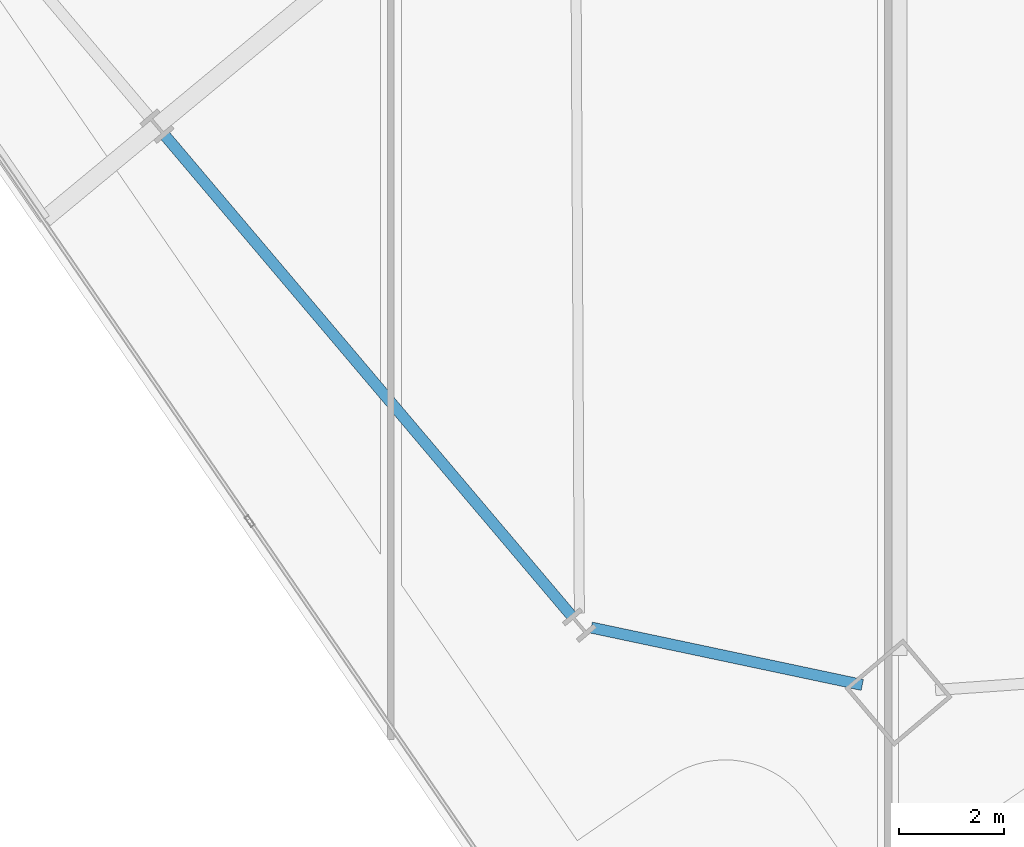
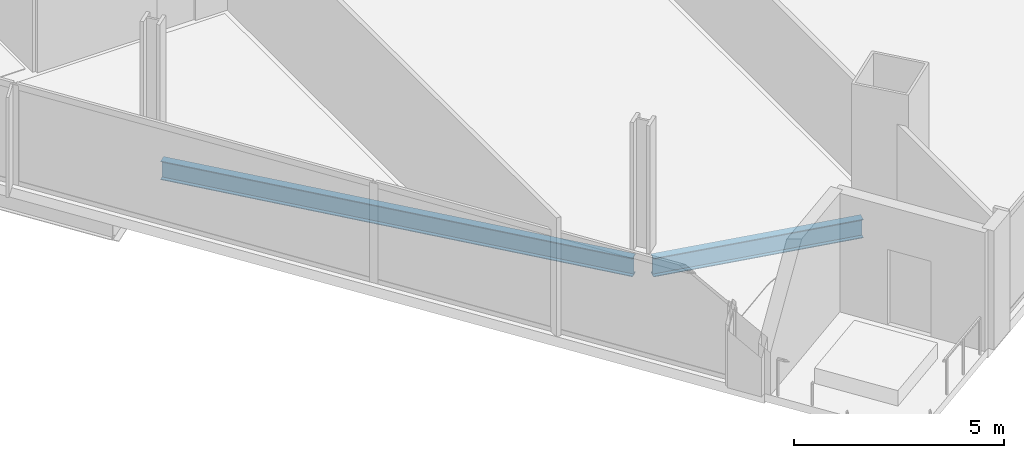
# One storey, part 3 of 29: 2 beams.
"""IFC4 building model written with IfcOpenShell, lengths in metres."""

from ifc_helpers import new_model, si_unit, direction, frame, origin, origin_2d, place, context, subcontext, project, spatial, i_section, extrude, material, material_profile, profile_set, type_object, element, save


model = new_model("IFC4")

# Units and contexts
model_context = context("Model", 3, precision=1e-05, world=origin(), true_north=direction((0.0, 1.0)))
body_context = subcontext(model_context, "Body", "Model", "MODEL_VIEW")
ifc_project = project(units=[si_unit("LENGTHUNIT", "METRE"), si_unit("AREAUNIT", "SQUARE_METRE"), si_unit("VOLUMEUNIT", "CUBIC_METRE"), si_unit("PLANEANGLEUNIT", "RADIAN"), si_unit("MASSUNIT", "GRAM", prefix="KILO")], contexts=[model_context])

# Site, building, storey
site_placement = place(None, origin())
site = spatial("IfcSite", under=ifc_project, at=site_placement, CompositionType="ELEMENT")
building_placement = place(site_placement, origin())
building = spatial("IfcBuilding", under=site, at=building_placement, Name="Haldenkirk Collegiate Tower", CompositionType="ELEMENT")
storey_placement = place(building_placement, frame((0.0, 0.0, 144.449951171875)))
storey = spatial("IfcBuildingStorey", under=building, at=storey_placement, Name="L35", CompositionType="ELEMENT", Elevation=144.449951171875)

# Beams
ifc_material = material(Name="Steel ASTM A992 Grade 50", Category="steel")
ifc_material_profile = material_profile(ifc_material, i_section(OverallWidth=0.2119140625, OverallDepth=0.5439453125, WebThickness=0.01318359375, FlangeThickness=0.021240234375, at=origin_2d()), Name="W21X83")
ifc_profile_set = profile_set([ifc_material_profile], Name="Steel ASTM A992 Grade 50")
beam_type = type_object("IfcBeamType", Name="BM-SPANDREL-W21X83", PredefinedType="SPANDREL", material=ifc_profile_set)
beam_1_placement = place(storey_placement, frame((19.202880859375, 11.250732421875, -0.56201171875), z_axis=(0.646115074743, -0.763240008248, 0.0), x_axis=(0.763240008248, 0.646115074743, 0.0)))
element("IfcBeam", 1, at=beam_1_placement, inside=storey, type_object=beam_type, Name="L35 perimeter spandrel beam 15", PredefinedType="SPANDREL", context=body_context, shape_type="SweptSolid", body=[
    extrude(i_section(OverallWidth=0.2119140625, OverallDepth=0.5439453125, WebThickness=0.01318359375, FlangeThickness=0.021240234375, at=origin_2d()), origin(), (0.0, 0.0, 1.0), 11.966796875),
])
beam_2_placement = place(storey_placement, frame((27.306884765625, 1.89501953125, -0.56201171875), z_axis=(0.978307627668, -0.207157393416, 0.0), x_axis=(0.207157393416, 0.978307627668, 0.0)))
element("IfcBeam", 2, at=beam_2_placement, inside=storey, type_object=beam_type, Name="L35 perimeter spandrel beam 16", PredefinedType="SPANDREL", context=body_context, shape_type="SweptSolid", body=[
    extrude(i_section(OverallWidth=0.2119140625, OverallDepth=0.5439453125, WebThickness=0.01318359375, FlangeThickness=0.021240234375, at=origin_2d()), origin(), (0.0, 0.0, 1.0), 5.266845703125),
])

save(model, "model.ifc")
